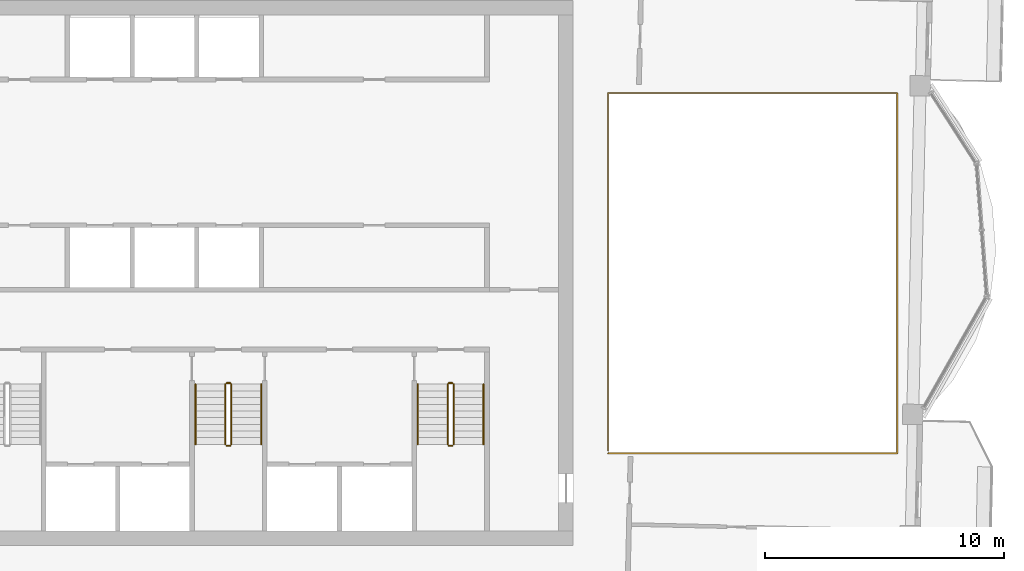
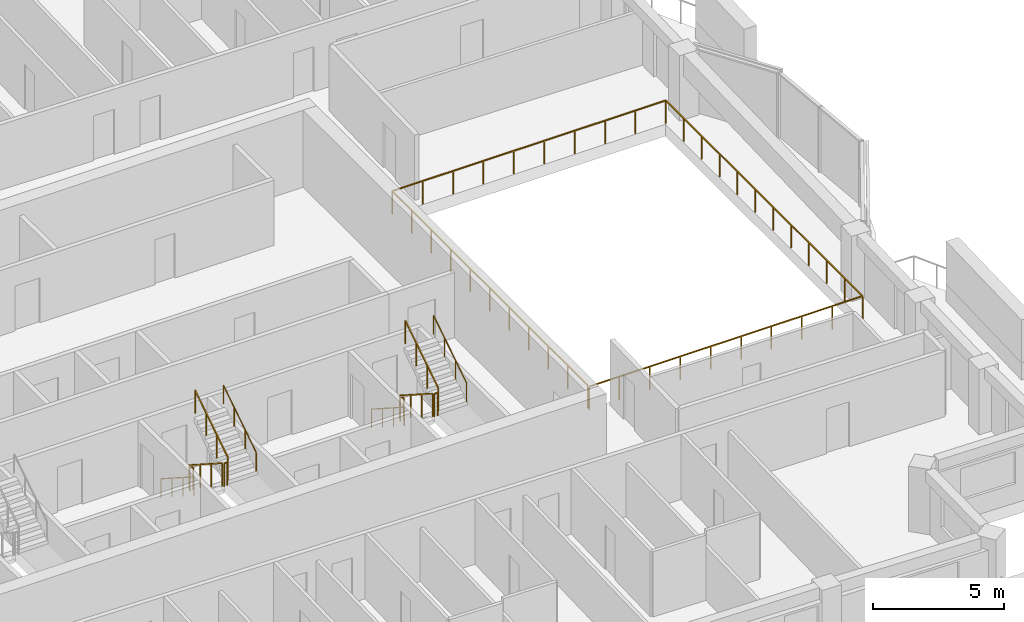
# One storey, part 14 of 15: 13 railings.
"""IFC4 building model written with IfcOpenShell, lengths in metres."""

import ifcopenshell
import ifcopenshell.guid

model = None  # the IFC model being written
_history = None  # IfcOwnerHistory: only IFC2X3 demands one
_inside = {}  # id of a spatial element -> (the spatial element, [elements in it])
_under = {}  # id of a project, library or spatial element -> (it, [spatial elements below it])
_declared = {}  # id of a project -> (the project, [libraries it declares])
_typed = {}  # id of a type object -> (the type object, [elements of that type])
_made_of = {}  # id of a material, layer set ... -> (it, [elements and type objects made of it])


def new_model(schema):
    """Start an empty IFC model of exactly this schema.

    Asked for "IFC4X3", IfcOpenShell would pick the latest addendum, in which some entities
    have other attributes; the version numbers below select the first issue.
    IFC2X3 requires an IfcOwnerHistory on every rooted entity: one is made here for all.
    """
    global model, _history
    if schema == "IFC4X3":
        model = ifcopenshell.file(schema_version=(4, 3, 0, 0))
    else:
        model = ifcopenshell.file(schema=schema)
    _inside.clear()
    _under.clear()
    _declared.clear()
    _typed.clear()
    _made_of.clear()
    _history = None
    if model.schema == "IFC2X3":
        org = make("IfcOrganization", Name="unknown")
        user = make(
            "IfcPersonAndOrganization",
            ThePerson=make("IfcPerson", FamilyName="unknown"),
            TheOrganization=org,
        )
        app = make(
            "IfcApplication",
            ApplicationDeveloper=org,
            Version="unknown",
            ApplicationFullName="unknown",
            ApplicationIdentifier="unknown",
        )
        _history = make(
            "IfcOwnerHistory",
            OwningUser=user,
            OwningApplication=app,
            ChangeAction="ADDED",
            CreationDate=0,
        )
    return model


def make(cls, **values):
    """One entity of the class cls with the attributes given. An attribute that is None is left unset."""
    return model.create_entity(
        cls, **{name: value for name, value in values.items() if value is not None}
    )


def rooted(cls, **values):
    """An entity with a GlobalId (a new one), such as an element, a storey or a relation."""
    return make(cls, GlobalId=ifcopenshell.guid.new(), OwnerHistory=_history, **values)


def si_unit(unit_type, name, prefix=None):
    """IfcSIUnit, for example si_unit("LENGTHUNIT", "METRE", prefix="MILLI")."""
    return make("IfcSIUnit", UnitType=unit_type, Prefix=prefix, Name=name)


def assignment(units):
    """IfcUnitAssignment: the units of a project."""
    return None if units is None else make("IfcUnitAssignment", Units=units)


def point(xyz):
    """IfcCartesianPoint."""
    return None if xyz is None else make("IfcCartesianPoint", Coordinates=xyz)


def direction(xyz):
    """IfcDirection."""
    return None if xyz is None else make("IfcDirection", DirectionRatios=xyz)


def frame(location, z_axis=None, x_axis=None):
    """IfcAxis2Placement3D, a coordinate frame: its origin and axes. An axis left out is left unset."""
    return make(
        "IfcAxis2Placement3D",
        Location=point(location),
        Axis=direction(z_axis),
        RefDirection=direction(x_axis),
    )


def frame_2d(location, x_axis=None):
    """IfcAxis2Placement2D, a coordinate frame in the plane: its origin and x axis."""
    return make(
        "IfcAxis2Placement2D", Location=point(location), RefDirection=direction(x_axis)
    )


def origin():
    """The frame at (0, 0, 0) with its axes left unset."""
    return frame((0.0, 0.0, 0.0))


def origin_2d():
    """The frame at (0, 0) in the plane with its x axis left unset."""
    return frame_2d((0.0, 0.0))


def place(relative_to, where):
    """IfcLocalPlacement: puts the frame where relative to a parent placement (None: the world)."""
    return make(
        "IfcLocalPlacement", PlacementRelTo=relative_to, RelativePlacement=where
    )


def context(
    kind, dimensions, precision=None, world=None, true_north=None, identifier=None
):
    """IfcGeometricRepresentationContext, for example the 3D "Model" context."""
    return make(
        "IfcGeometricRepresentationContext",
        ContextIdentifier=identifier,
        ContextType=kind,
        CoordinateSpaceDimension=dimensions,
        Precision=precision,
        WorldCoordinateSystem=world,
        TrueNorth=true_north,
    )


def subcontext(parent, identifier, kind, view, scale=None):
    """IfcGeometricRepresentationSubContext, for example "Body" below "Model"."""
    return make(
        "IfcGeometricRepresentationSubContext",
        ContextIdentifier=identifier,
        ContextType=kind,
        ParentContext=parent,
        TargetScale=scale,
        TargetView=view,
    )


def project(units=None, contexts=None):
    """IfcProject with its units and contexts."""
    return rooted(
        "IfcProject",
        Name="project",
        RepresentationContexts=contexts,
        UnitsInContext=assignment(units),
    )


def spatial(cls, under=None, at=None, **own):
    """A site, building, storey or space (cls), placed at a placement, below another one or the project."""
    s = rooted(cls, ObjectPlacement=at, **own)
    if under is not None:
        _under.setdefault(under.id(), (under, []))[1].append(s)
    return s


def profile(cls, at=None, kind="AREA", **sizes):
    """A parametric profile (cls). Its sizes go by their IFC names, for example OverallWidth=200.0."""
    return make(cls, ProfileType=kind, Position=at, **sizes)


def rectangle(**sizes):
    """IfcRectangleProfileDef."""
    return profile("IfcRectangleProfileDef", **sizes)


def circle(**sizes):
    """IfcCircleProfileDef."""
    return profile("IfcCircleProfileDef", **sizes)


def extrude(swept, where, along, depth):
    """IfcExtrudedAreaSolid: the profile swept, set in the frame where, extruded along a direction by depth."""
    return make(
        "IfcExtrudedAreaSolid",
        SweptArea=swept,
        Position=where,
        ExtrudedDirection=direction(along),
        Depth=depth,
    )


def shape(context_of_items, identifier, shape_type, items):
    """IfcShapeRepresentation: the items that make up one representation, for example the "Body"."""
    return make(
        "IfcShapeRepresentation",
        ContextOfItems=context_of_items,
        RepresentationIdentifier=identifier,
        RepresentationType=shape_type,
        Items=items,
    )


def material(Name=None, Category=None):
    """IfcMaterial."""
    return make("IfcMaterial", Name=Name, Category=Category)


def made_of(thing, what):
    """Note that an element or type object is made of a material, layer set ...; save() writes the relation."""
    if what is not None:
        _made_of.setdefault(what.id(), (what, []))[1].append(thing)
    return thing


def type_object(cls, material=None, **own):
    """A type object (cls), such as IfcWallType, which elements share."""
    return made_of(rooted(cls, **own), material)


def element(
    cls,
    number,
    at=None,
    inside=None,
    cuts=None,
    type_object=None,
    material=None,
    context=None,
    identifier="Body",
    shape_type=None,
    held_by="IfcProductDefinitionShape",
    body=None,
    shapes=None,
    **own,
):
    """One element of the class cls, such as IfcWall. Its Tag is "e" and its number.

    at: its placement. inside: the storey or other place that contains it. cuts: it is an
    opening in that element (IfcRelVoidsElement). A single representation is given by context,
    identifier, shape_type and body (its items); several are given by shapes. held_by: the class
    of the entity that holds the representations. save() writes the other relations.
    """
    e = rooted(cls, Tag="e%d" % number, ObjectPlacement=at, **own)
    if body is not None:
        shapes = [shape(context, identifier, shape_type, body)]
    if shapes is not None:
        e.Representation = make(held_by, Representations=shapes)
    if inside is not None:
        _inside.setdefault(inside.id(), (inside, []))[1].append(e)
    if cuts is not None:
        rooted(
            "IfcRelVoidsElement", RelatingBuildingElement=cuts, RelatedOpeningElement=e
        )
    if type_object is not None:
        _typed.setdefault(type_object.id(), (type_object, []))[1].append(e)
    return made_of(e, material)


def aggregate(whole, parts):
    """IfcRelAggregates: a whole, such as a stair, and the parts it consists of."""
    return rooted("IfcRelAggregates", RelatingObject=whole, RelatedObjects=parts)


def save(model, path):
    """Write the relations noted so far, then the file.

    IfcRelAggregates (storeys below a building ...), IfcRelContainedInSpatialStructure (elements
    in a storey), IfcRelDefinesByType, IfcRelAssociatesMaterial and IfcRelDeclares: one each for
    every whole, place, type object, material and project.
    """
    for whole, parts in _under.values():
        aggregate(whole, parts)
    for where, things in _inside.values():
        rooted(
            "IfcRelContainedInSpatialStructure",
            RelatedElements=things,
            RelatingStructure=where,
        )
    for kind, things in _typed.values():
        rooted("IfcRelDefinesByType", RelatedObjects=things, RelatingType=kind)
    for what, things in _made_of.values():
        rooted("IfcRelAssociatesMaterial", RelatedObjects=things, RelatingMaterial=what)
    for by, libraries in _declared.values():
        rooted("IfcRelDeclares", RelatingContext=by, RelatedDefinitions=libraries)
    model.write(path)


model = new_model("IFC4")

# Units and contexts
model_context = context("Model", 3, precision=1e-05, world=origin(), true_north=direction((0.0, 1.0)))
body_context = subcontext(model_context, "Body", "Model", "MODEL_VIEW")
ifc_project = project(units=[si_unit("LENGTHUNIT", "METRE"), si_unit("AREAUNIT", "SQUARE_METRE"), si_unit("VOLUMEUNIT", "CUBIC_METRE"), si_unit("PLANEANGLEUNIT", "RADIAN"), si_unit("MASSUNIT", "GRAM", prefix="KILO")], contexts=[model_context])

# Site, building, storey
site_placement = place(None, origin())
site = spatial("IfcSite", under=ifc_project, at=site_placement, CompositionType="ELEMENT")
building_placement = place(site_placement, origin())
building = spatial("IfcBuilding", under=site, at=building_placement, Name="Mangrove Gate Tower", CompositionType="ELEMENT")
storey_placement = place(building_placement, frame((0.0, 0.0, 316.89990234375)))
storey = spatial("IfcBuildingStorey", under=building, at=storey_placement, Name="L81", CompositionType="ELEMENT", Elevation=316.89990234375)

# Railings
ifc_material_1 = material(Name="Stainless steel grade 316 with laminated glass infill", Category="steel")
railing_type_1 = type_object("IfcRailingType", Name="Balcony guard 1100", PredefinedType="GUARDRAIL", material=ifc_material_1)
railing_1_placement = place(storey_placement, frame((15.860107421875, -7.5400390625, 0.0)))
element("IfcRailing", 1, at=railing_1_placement, inside=storey, type_object=railing_type_1, Name="GUARD L81 atrium", PredefinedType="GUARDRAIL", context=body_context, shape_type="SweptSolid", body=[
    extrude(rectangle(XDim=0.048095703125, YDim=0.048095703125, at=origin_2d()), frame((0.0, 0.0, 1.076171875), z_axis=(1.0, 0.0, 0.0), x_axis=(0.0, 1.0, 0.0)), (0.0, 0.0, 1.0), 12.101806640625),
    extrude(rectangle(XDim=0.048095703125, YDim=0.048095703125, at=origin_2d()), frame((12.101806640625, 0.0, 1.076171875), z_axis=(0.0, 1.0, 0.0), x_axis=(-1.0, 0.0, 0.0)), (0.0, 0.0, 1.0), 15.080078125),
    extrude(rectangle(XDim=0.048095703125, YDim=0.048095703125, at=origin_2d()), frame((12.101806640625, 15.080078125, 1.076171875), z_axis=(-1.0, 0.0, 0.0), x_axis=(0.0, -1.0, 0.0)), (0.0, 0.0, 1.0), 12.101806640625),
    extrude(rectangle(XDim=0.048095703125, YDim=0.048095703125, at=origin_2d()), frame((0.0, 15.080078125, 1.076171875), z_axis=(0.0, -1.0, 0.0), x_axis=(1.0, 0.0, 0.0)), (0.0, 0.0, 1.0), 14.9599609375),
    extrude(rectangle(XDim=0.0419921875, YDim=0.0419921875, at=origin_2d()), origin(), (0.0, 0.0, 1.0), 1.052001953125),
    extrude(rectangle(XDim=0.0419921875, YDim=0.0419921875, at=origin_2d()), frame((1.3447265625, 0.0, 0.0)), (0.0, 0.0, 1.0), 1.052001953125),
    extrude(rectangle(XDim=0.0419921875, YDim=0.0419921875, at=origin_2d()), frame((2.689208984375, 0.0, 0.0)), (0.0, 0.0, 1.0), 1.052001953125),
    extrude(rectangle(XDim=0.0419921875, YDim=0.0419921875, at=origin_2d()), frame((4.033935546875, 0.0, 0.0)), (0.0, 0.0, 1.0), 1.052001953125),
    extrude(rectangle(XDim=0.0419921875, YDim=0.0419921875, at=origin_2d()), frame((5.378662109375, 0.0, 0.0)), (0.0, 0.0, 1.0), 1.052001953125),
    extrude(rectangle(XDim=0.0419921875, YDim=0.0419921875, at=origin_2d()), frame((6.72314453125, 0.0, 0.0)), (0.0, 0.0, 1.0), 1.052001953125),
    extrude(rectangle(XDim=0.0419921875, YDim=0.0419921875, at=origin_2d()), frame((8.06787109375, 0.0, 0.0)), (0.0, 0.0, 1.0), 1.052001953125),
    extrude(rectangle(XDim=0.0419921875, YDim=0.0419921875, at=origin_2d()), frame((9.41259765625, 0.0, 0.0)), (0.0, 0.0, 1.0), 1.052001953125),
    extrude(rectangle(XDim=0.0419921875, YDim=0.0419921875, at=origin_2d()), frame((10.757080078125, 0.0, 0.0)), (0.0, 0.0, 1.0), 1.052001953125),
    extrude(rectangle(XDim=0.0419921875, YDim=0.0419921875, at=origin_2d()), frame((12.101806640625, 0.0, 0.0)), (0.0, 0.0, 1.0), 1.052001953125),
    extrude(rectangle(XDim=0.0419921875, YDim=0.0419921875, at=origin_2d()), frame((12.101806640625, 1.370849609375, 0.0)), (0.0, 0.0, 1.0), 1.052001953125),
    extrude(rectangle(XDim=0.0419921875, YDim=0.0419921875, at=origin_2d()), frame((12.101806640625, 2.741943359375, 0.0)), (0.0, 0.0, 1.0), 1.052001953125),
    extrude(rectangle(XDim=0.0419921875, YDim=0.0419921875, at=origin_2d()), frame((12.101806640625, 4.11279296875, 0.0)), (0.0, 0.0, 1.0), 1.052001953125),
    extrude(rectangle(XDim=0.0419921875, YDim=0.0419921875, at=origin_2d()), frame((12.101806640625, 5.483642578125, 0.0)), (0.0, 0.0, 1.0), 1.052001953125),
    extrude(rectangle(XDim=0.0419921875, YDim=0.0419921875, at=origin_2d()), frame((12.101806640625, 6.8544921875, 0.0)), (0.0, 0.0, 1.0), 1.052001953125),
    extrude(rectangle(XDim=0.0419921875, YDim=0.0419921875, at=origin_2d()), frame((12.101806640625, 8.2255859375, 0.0)), (0.0, 0.0, 1.0), 1.052001953125),
    extrude(rectangle(XDim=0.0419921875, YDim=0.0419921875, at=origin_2d()), frame((12.101806640625, 9.596435546875, 0.0)), (0.0, 0.0, 1.0), 1.052001953125),
    extrude(rectangle(XDim=0.0419921875, YDim=0.0419921875, at=origin_2d()), frame((12.101806640625, 10.96728515625, 0.0)), (0.0, 0.0, 1.0), 1.052001953125),
    extrude(rectangle(XDim=0.0419921875, YDim=0.0419921875, at=origin_2d()), frame((12.101806640625, 12.338134765625, 0.0)), (0.0, 0.0, 1.0), 1.052001953125),
    extrude(rectangle(XDim=0.0419921875, YDim=0.0419921875, at=origin_2d()), frame((12.101806640625, 13.709228515625, 0.0)), (0.0, 0.0, 1.0), 1.052001953125),
    extrude(rectangle(XDim=0.0419921875, YDim=0.0419921875, at=origin_2d()), frame((12.101806640625, 15.080078125, 0.0)), (0.0, 0.0, 1.0), 1.052001953125),
    extrude(rectangle(XDim=0.0419921875, YDim=0.0419921875, at=origin_2d()), frame((10.757080078125, 15.080078125, 0.0)), (0.0, 0.0, 1.0), 1.052001953125),
    extrude(rectangle(XDim=0.0419921875, YDim=0.0419921875, at=origin_2d()), frame((9.41259765625, 15.080078125, 0.0)), (0.0, 0.0, 1.0), 1.052001953125),
    extrude(rectangle(XDim=0.0419921875, YDim=0.0419921875, at=origin_2d()), frame((8.06787109375, 15.080078125, 0.0)), (0.0, 0.0, 1.0), 1.052001953125),
    extrude(rectangle(XDim=0.0419921875, YDim=0.0419921875, at=origin_2d()), frame((6.72314453125, 15.080078125, 0.0)), (0.0, 0.0, 1.0), 1.052001953125),
    extrude(rectangle(XDim=0.0419921875, YDim=0.0419921875, at=origin_2d()), frame((5.378662109375, 15.080078125, 0.0)), (0.0, 0.0, 1.0), 1.052001953125),
    extrude(rectangle(XDim=0.0419921875, YDim=0.0419921875, at=origin_2d()), frame((4.033935546875, 15.080078125, 0.0)), (0.0, 0.0, 1.0), 1.052001953125),
    extrude(rectangle(XDim=0.0419921875, YDim=0.0419921875, at=origin_2d()), frame((2.689208984375, 15.080078125, 0.0)), (0.0, 0.0, 1.0), 1.052001953125),
    extrude(rectangle(XDim=0.0419921875, YDim=0.0419921875, at=origin_2d()), frame((1.3447265625, 15.080078125, 0.0)), (0.0, 0.0, 1.0), 1.052001953125),
    extrude(rectangle(XDim=0.0419921875, YDim=0.0419921875, at=origin_2d()), frame((0.0, 15.080078125, 0.0)), (0.0, 0.0, 1.0), 1.052001953125),
    extrude(rectangle(XDim=0.0419921875, YDim=0.0419921875, at=origin_2d()), frame((0.0, 13.583984375, 0.0)), (0.0, 0.0, 1.0), 1.052001953125),
    extrude(rectangle(XDim=0.0419921875, YDim=0.0419921875, at=origin_2d()), frame((0.0, 12.088134765625, 0.0)), (0.0, 0.0, 1.0), 1.052001953125),
    extrude(rectangle(XDim=0.0419921875, YDim=0.0419921875, at=origin_2d()), frame((0.0, 10.592041015625, 0.0)), (0.0, 0.0, 1.0), 1.052001953125),
    extrude(rectangle(XDim=0.0419921875, YDim=0.0419921875, at=origin_2d()), frame((0.0, 9.09619140625, 0.0)), (0.0, 0.0, 1.0), 1.052001953125),
    extrude(rectangle(XDim=0.0419921875, YDim=0.0419921875, at=origin_2d()), frame((0.0, 7.60009765625, 0.0)), (0.0, 0.0, 1.0), 1.052001953125),
    extrude(rectangle(XDim=0.0419921875, YDim=0.0419921875, at=origin_2d()), frame((0.0, 6.10400390625, 0.0)), (0.0, 0.0, 1.0), 1.052001953125),
    extrude(rectangle(XDim=0.0419921875, YDim=0.0419921875, at=origin_2d()), frame((0.0, 4.608154296875, 0.0)), (0.0, 0.0, 1.0), 1.052001953125),
    extrude(rectangle(XDim=0.0419921875, YDim=0.0419921875, at=origin_2d()), frame((0.0, 3.112060546875, 0.0)), (0.0, 0.0, 1.0), 1.052001953125),
    extrude(rectangle(XDim=0.0419921875, YDim=0.0419921875, at=origin_2d()), frame((0.0, 1.6162109375, 0.0)), (0.0, 0.0, 1.0), 1.052001953125),
    extrude(rectangle(XDim=0.0419921875, YDim=0.0419921875, at=origin_2d()), frame((0.0, 0.1201171875, 0.0)), (0.0, 0.0, 1.0), 1.052001953125),
])
ifc_material_2 = material(Name="Stainless steel 316", Category="steel")
railing_type_2 = type_object("IfcRailingType", Name="Core stair guard 1100", PredefinedType="GUARDRAIL", material=ifc_material_2)
railing_2_placement = place(storey_placement, frame((-0.14990234375, -4.64990234375, 0.18017578125)))
element("IfcRailing", 2, at=railing_2_placement, inside=storey, type_object=railing_type_2, Name="L81 ST2 stair guard 1", PredefinedType="GUARDRAIL", context=body_context, shape_type="SweptSolid", body=[
    extrude(rectangle(XDim=0.048095703125, YDim=0.048095703125, at=origin_2d()), frame((0.0, 0.0, 1.076171875), z_axis=(0.0, -0.841199657755, 0.540724639528), x_axis=(1.0, 0.0, 0.0)), (0.0, 0.0, 1.0), 2.995849609375),
    extrude(rectangle(XDim=0.0419921875, YDim=0.0419921875, at=origin_2d()), origin(), (0.0, 0.0, 1.0), 1.052001953125),
    extrude(rectangle(XDim=0.0419921875, YDim=0.0419921875, at=origin_2d()), frame((0.0, -0.840087890625, 0.5400390625)), (0.0, 0.0, 1.0), 1.052001953125),
    extrude(rectangle(XDim=0.0419921875, YDim=0.0419921875, at=origin_2d()), frame((0.0, -1.679931640625, 1.079833984375)), (0.0, 0.0, 1.0), 1.052001953125),
    extrude(rectangle(XDim=0.0419921875, YDim=0.0419921875, at=origin_2d()), frame((0.0, -2.52001953125, 1.619873046875)), (0.0, 0.0, 1.0), 1.052001953125),
])
railing_3_placement = place(storey_placement, frame((-0.10009765625, -7.219970703125, 1.800048828125)))
element("IfcRailing", 3, at=railing_3_placement, inside=storey, type_object=railing_type_2, Name="L81 ST2 stair guard 2", PredefinedType="GUARDRAIL", context=body_context, shape_type="SweptSolid", body=[
    extrude(rectangle(XDim=0.048095703125, YDim=0.048095703125, at=origin_2d()), frame((0.0, 0.0, 1.076171875), z_axis=(1.0, 0.0, 0.0), x_axis=(0.0, 1.0, 0.0)), (0.0, 0.0, 1.0), 0.150146484375),
    extrude(rectangle(XDim=0.0419921875, YDim=0.0419921875, at=origin_2d()), origin(), (0.0, 0.0, 1.0), 1.052001953125),
    extrude(rectangle(XDim=0.0419921875, YDim=0.0419921875, at=origin_2d()), frame((0.150146484375, 0.0, 0.0)), (0.0, 0.0, 1.0), 1.052001953125),
])
railing_4_placement = place(storey_placement, frame((0.10009765625, -7.169921875, 1.97998046875)))
element("IfcRailing", 4, at=railing_4_placement, inside=storey, type_object=railing_type_2, Name="L81 ST2 stair guard 3", PredefinedType="GUARDRAIL", context=body_context, shape_type="SweptSolid", body=[
    extrude(rectangle(XDim=0.048095703125, YDim=0.048095703125, at=origin_2d()), frame((0.0, 0.0, 1.076171875), z_axis=(0.0, 0.841162588446, 0.540782303519), x_axis=(-1.0, 0.0, 0.0)), (0.0, 0.0, 1.0), 2.995849609375),
    extrude(rectangle(XDim=0.0419921875, YDim=0.0419921875, at=origin_2d()), origin(), (0.0, 0.0, 1.0), 1.052001953125),
    extrude(rectangle(XDim=0.0419921875, YDim=0.0419921875, at=origin_2d()), frame((0.0, 0.840087890625, 0.5400390625)), (0.0, 0.0, 1.0), 1.052001953125),
    extrude(rectangle(XDim=0.0419921875, YDim=0.0419921875, at=origin_2d()), frame((0.0, 1.679931640625, 1.080078125)), (0.0, 0.0, 1.0), 1.052001953125),
    extrude(rectangle(XDim=0.0419921875, YDim=0.0419921875, at=origin_2d()), frame((0.0, 2.52001953125, 1.6201171875)), (0.0, 0.0, 1.0), 1.052001953125),
])
railing_5_placement = place(storey_placement, frame((-0.10009765625, -4.60009765625, 0.0)))
element("IfcRailing", 5, at=railing_5_placement, inside=storey, type_object=railing_type_2, Name="L81 ST2 stair guard 4", PredefinedType="GUARDRAIL", context=body_context, shape_type="SweptSolid", body=[
    extrude(rectangle(XDim=0.048095703125, YDim=0.048095703125, at=origin_2d()), frame((0.0, 0.0, 1.076171875), z_axis=(1.0, 0.0, 0.0), x_axis=(0.0, 1.0, 0.0)), (0.0, 0.0, 1.0), 0.150146484375),
    extrude(rectangle(XDim=0.0419921875, YDim=0.0419921875, at=origin_2d()), origin(), (0.0, 0.0, 1.0), 1.052001953125),
    extrude(rectangle(XDim=0.0419921875, YDim=0.0419921875, at=origin_2d()), frame((0.150146484375, 0.0, 0.0)), (0.0, 0.0, 1.0), 1.052001953125),
])
railing_6_placement = place(storey_placement, frame((9.14990234375, -4.64990234375, 0.18017578125)))
element("IfcRailing", 6, at=railing_6_placement, inside=storey, type_object=railing_type_2, Name="L81 ST3 stair guard 1", PredefinedType="GUARDRAIL", context=body_context, shape_type="SweptSolid", body=[
    extrude(rectangle(XDim=0.048095703125, YDim=0.048095703125, at=origin_2d()), frame((0.0, 0.0, 1.076171875), z_axis=(0.0, -0.841199657755, 0.540724639528), x_axis=(1.0, 0.0, 0.0)), (0.0, 0.0, 1.0), 2.995849609375),
    extrude(rectangle(XDim=0.0419921875, YDim=0.0419921875, at=origin_2d()), origin(), (0.0, 0.0, 1.0), 1.052001953125),
    extrude(rectangle(XDim=0.0419921875, YDim=0.0419921875, at=origin_2d()), frame((0.0, -0.840087890625, 0.5400390625)), (0.0, 0.0, 1.0), 1.052001953125),
    extrude(rectangle(XDim=0.0419921875, YDim=0.0419921875, at=origin_2d()), frame((0.0, -1.679931640625, 1.079833984375)), (0.0, 0.0, 1.0), 1.052001953125),
    extrude(rectangle(XDim=0.0419921875, YDim=0.0419921875, at=origin_2d()), frame((0.0, -2.52001953125, 1.619873046875)), (0.0, 0.0, 1.0), 1.052001953125),
])
railing_7_placement = place(storey_placement, frame((9.199951171875, -7.219970703125, 1.800048828125)))
element("IfcRailing", 7, at=railing_7_placement, inside=storey, type_object=railing_type_2, Name="L81 ST3 stair guard 2", PredefinedType="GUARDRAIL", context=body_context, shape_type="SweptSolid", body=[
    extrude(rectangle(XDim=0.048095703125, YDim=0.048095703125, at=origin_2d()), frame((0.0, 0.0, 1.076171875), z_axis=(1.0, 0.0, 0.0), x_axis=(0.0, 1.0, 0.0)), (0.0, 0.0, 1.0), 0.150146484375),
    extrude(rectangle(XDim=0.0419921875, YDim=0.0419921875, at=origin_2d()), origin(), (0.0, 0.0, 1.0), 1.052001953125),
    extrude(rectangle(XDim=0.0419921875, YDim=0.0419921875, at=origin_2d()), frame((0.150146484375, 0.0, 0.0)), (0.0, 0.0, 1.0), 1.052001953125),
])
railing_8_placement = place(storey_placement, frame((9.39990234375, -7.169921875, 1.97998046875)))
element("IfcRailing", 8, at=railing_8_placement, inside=storey, type_object=railing_type_2, Name="L81 ST3 stair guard 3", PredefinedType="GUARDRAIL", context=body_context, shape_type="SweptSolid", body=[
    extrude(rectangle(XDim=0.048095703125, YDim=0.048095703125, at=origin_2d()), frame((0.0, 0.0, 1.076171875), z_axis=(0.0, 0.841162588446, 0.540782303519), x_axis=(-1.0, 0.0, 0.0)), (0.0, 0.0, 1.0), 2.995849609375),
    extrude(rectangle(XDim=0.0419921875, YDim=0.0419921875, at=origin_2d()), origin(), (0.0, 0.0, 1.0), 1.052001953125),
    extrude(rectangle(XDim=0.0419921875, YDim=0.0419921875, at=origin_2d()), frame((0.0, 0.840087890625, 0.5400390625)), (0.0, 0.0, 1.0), 1.052001953125),
    extrude(rectangle(XDim=0.0419921875, YDim=0.0419921875, at=origin_2d()), frame((0.0, 1.679931640625, 1.080078125)), (0.0, 0.0, 1.0), 1.052001953125),
    extrude(rectangle(XDim=0.0419921875, YDim=0.0419921875, at=origin_2d()), frame((0.0, 2.52001953125, 1.6201171875)), (0.0, 0.0, 1.0), 1.052001953125),
])
railing_9_placement = place(storey_placement, frame((9.199951171875, -4.60009765625, 0.0)))
element("IfcRailing", 9, at=railing_9_placement, inside=storey, type_object=railing_type_2, Name="L81 ST3 stair guard 4", PredefinedType="GUARDRAIL", context=body_context, shape_type="SweptSolid", body=[
    extrude(rectangle(XDim=0.048095703125, YDim=0.048095703125, at=origin_2d()), frame((0.0, 0.0, 1.076171875), z_axis=(1.0, 0.0, 0.0), x_axis=(0.0, 1.0, 0.0)), (0.0, 0.0, 1.0), 0.150146484375),
    extrude(rectangle(XDim=0.0419921875, YDim=0.0419921875, at=origin_2d()), origin(), (0.0, 0.0, 1.0), 1.052001953125),
    extrude(rectangle(XDim=0.0419921875, YDim=0.0419921875, at=origin_2d()), frame((0.150146484375, 0.0, 0.0)), (0.0, 0.0, 1.0), 1.052001953125),
])
ifc_material_3 = material(Name="Stainless steel 316", Category="steel")
railing_type_3 = type_object("IfcRailingType", Name="Core stair handrail 900", PredefinedType="HANDRAIL", material=ifc_material_3)
railing_10_placement = place(storey_placement, frame((-1.39990234375, -4.64990234375, 0.18017578125)))
element("IfcRailing", 10, at=railing_10_placement, inside=storey, type_object=railing_type_3, Name="L81 ST2 stair handrail 1", PredefinedType="HANDRAIL", context=body_context, shape_type="SweptSolid", body=[
    extrude(circle(Radius=0.02392578125, at=origin_2d()), frame((0.0, 0.0, 0.8759765625), z_axis=(0.0, -0.841199657755, 0.540724639528), x_axis=(1.0, 0.0, 0.0)), (0.0, 0.0, 1.0), 2.995849609375),
    extrude(circle(Radius=0.02099609375, at=origin_2d()), origin(), (0.0, 0.0, 1.0), 0.851806640625),
    extrude(circle(Radius=0.02099609375, at=origin_2d()), frame((0.0, -0.840087890625, 0.5400390625)), (0.0, 0.0, 1.0), 0.851806640625),
    extrude(circle(Radius=0.02099609375, at=origin_2d()), frame((0.0, -1.679931640625, 1.079833984375)), (0.0, 0.0, 1.0), 0.851806640625),
    extrude(circle(Radius=0.02099609375, at=origin_2d()), frame((0.0, -2.52001953125, 1.619873046875)), (0.0, 0.0, 1.0), 0.851806640625),
])
railing_11_placement = place(storey_placement, frame((1.35009765625, -7.169921875, 1.97998046875)))
element("IfcRailing", 11, at=railing_11_placement, inside=storey, type_object=railing_type_3, Name="L81 ST2 stair handrail 2", PredefinedType="HANDRAIL", context=body_context, shape_type="SweptSolid", body=[
    extrude(circle(Radius=0.02392578125, at=origin_2d()), frame((0.0, 0.0, 0.8759765625), z_axis=(0.0, 0.841162588446, 0.540782303519), x_axis=(-1.0, 0.0, 0.0)), (0.0, 0.0, 1.0), 2.995849609375),
    extrude(circle(Radius=0.02099609375, at=origin_2d()), origin(), (0.0, 0.0, 1.0), 0.851806640625),
    extrude(circle(Radius=0.02099609375, at=origin_2d()), frame((0.0, 0.840087890625, 0.5400390625)), (0.0, 0.0, 1.0), 0.851806640625),
    extrude(circle(Radius=0.02099609375, at=origin_2d()), frame((0.0, 1.679931640625, 1.080078125)), (0.0, 0.0, 1.0), 0.851806640625),
    extrude(circle(Radius=0.02099609375, at=origin_2d()), frame((0.0, 2.52001953125, 1.6201171875)), (0.0, 0.0, 1.0), 0.851806640625),
])
railing_12_placement = place(storey_placement, frame((7.89990234375, -4.64990234375, 0.18017578125)))
element("IfcRailing", 12, at=railing_12_placement, inside=storey, type_object=railing_type_3, Name="L81 ST3 stair handrail 1", PredefinedType="HANDRAIL", context=body_context, shape_type="SweptSolid", body=[
    extrude(circle(Radius=0.02392578125, at=origin_2d()), frame((0.0, 0.0, 0.8759765625), z_axis=(0.0, -0.841199657755, 0.540724639528), x_axis=(1.0, 0.0, 0.0)), (0.0, 0.0, 1.0), 2.995849609375),
    extrude(circle(Radius=0.02099609375, at=origin_2d()), origin(), (0.0, 0.0, 1.0), 0.851806640625),
    extrude(circle(Radius=0.02099609375, at=origin_2d()), frame((0.0, -0.840087890625, 0.5400390625)), (0.0, 0.0, 1.0), 0.851806640625),
    extrude(circle(Radius=0.02099609375, at=origin_2d()), frame((0.0, -1.679931640625, 1.079833984375)), (0.0, 0.0, 1.0), 0.851806640625),
    extrude(circle(Radius=0.02099609375, at=origin_2d()), frame((0.0, -2.52001953125, 1.619873046875)), (0.0, 0.0, 1.0), 0.851806640625),
])
railing_13_placement = place(storey_placement, frame((10.64990234375, -7.169921875, 1.97998046875)))
element("IfcRailing", 13, at=railing_13_placement, inside=storey, type_object=railing_type_3, Name="L81 ST3 stair handrail 2", PredefinedType="HANDRAIL", context=body_context, shape_type="SweptSolid", body=[
    extrude(circle(Radius=0.02392578125, at=origin_2d()), frame((0.0, 0.0, 0.8759765625), z_axis=(0.0, 0.841162588446, 0.540782303519), x_axis=(-1.0, 0.0, 0.0)), (0.0, 0.0, 1.0), 2.995849609375),
    extrude(circle(Radius=0.02099609375, at=origin_2d()), origin(), (0.0, 0.0, 1.0), 0.851806640625),
    extrude(circle(Radius=0.02099609375, at=origin_2d()), frame((0.0, 0.840087890625, 0.5400390625)), (0.0, 0.0, 1.0), 0.851806640625),
    extrude(circle(Radius=0.02099609375, at=origin_2d()), frame((0.0, 1.679931640625, 1.080078125)), (0.0, 0.0, 1.0), 0.851806640625),
    extrude(circle(Radius=0.02099609375, at=origin_2d()), frame((0.0, 2.52001953125, 1.6201171875)), (0.0, 0.0, 1.0), 0.851806640625),
])

save(model, "model.ifc")
